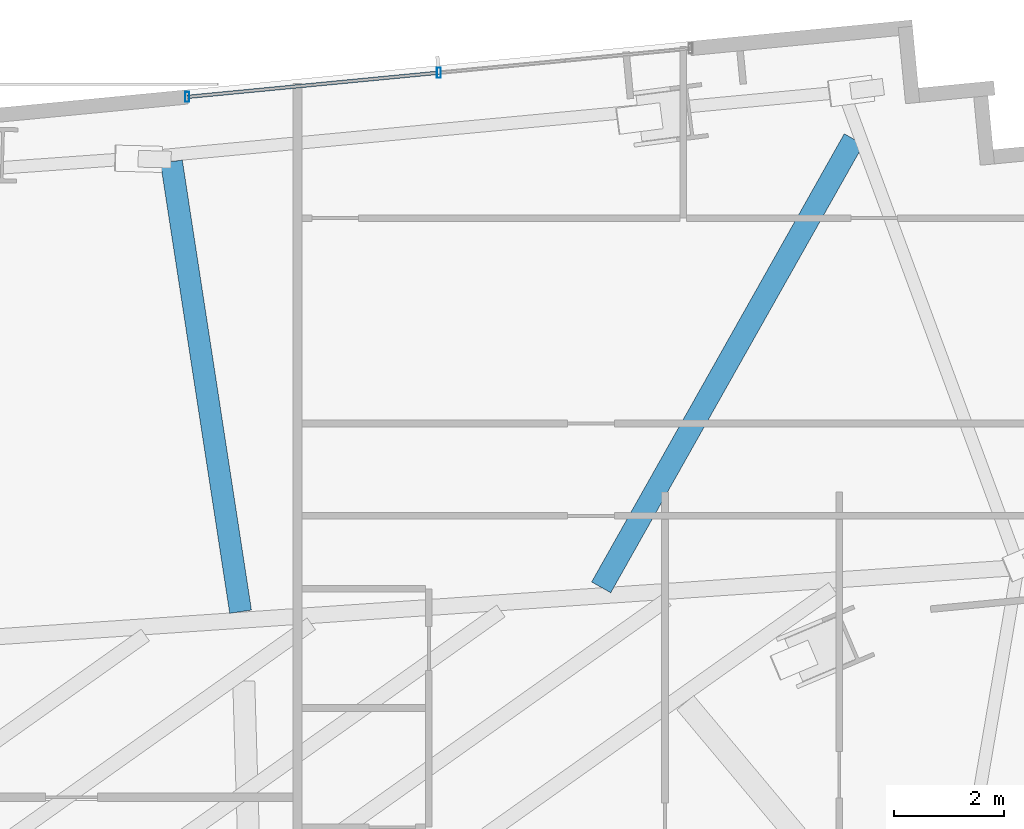
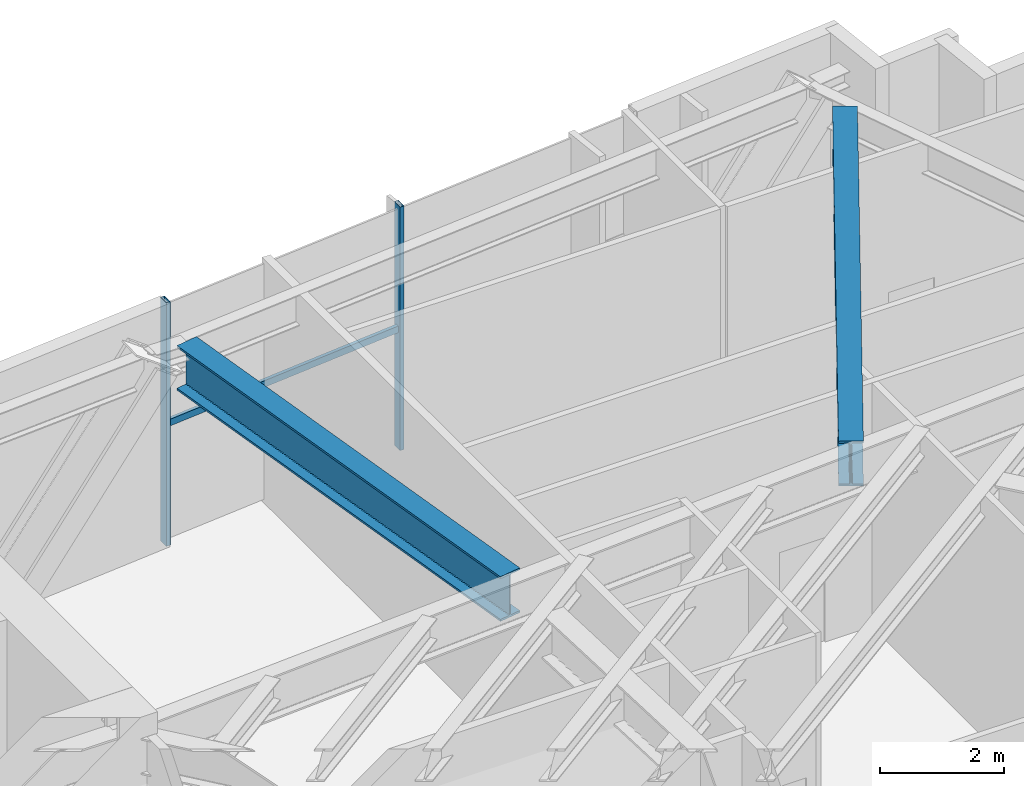
# One storey, part 16 of 28: 3 members, 2 beams, 1 element without a shape of its own.
"""IFC4 building model written with IfcOpenShell, lengths in metres."""

from ifc_helpers import new_model, si_unit, direction, frame, origin, origin_2d, place, context, subcontext, project, spatial, hollow_rectangle, i_section, extrude, source, transform, mapped, material, material_profile, profile_set, type_object, type_shapes, element, aggregate, save


model = new_model("IFC4")

# Units and contexts
model_context = context("Model", 3, precision=1e-05, world=origin(), true_north=direction((0.0, 1.0)))
body_context = subcontext(model_context, "Body", "Model", "MODEL_VIEW")
ifc_project = project(units=[si_unit("LENGTHUNIT", "METRE"), si_unit("AREAUNIT", "SQUARE_METRE"), si_unit("VOLUMEUNIT", "CUBIC_METRE"), si_unit("PLANEANGLEUNIT", "RADIAN"), si_unit("MASSUNIT", "GRAM", prefix="KILO")], contexts=[model_context])

# Site, building, storey
site_placement = place(None, origin())
site = spatial("IfcSite", under=ifc_project, at=site_placement, CompositionType="ELEMENT")
building_placement = place(site_placement, origin())
building = spatial("IfcBuilding", under=site, at=building_placement, Name="Astriad Promenade Condominiums", CompositionType="ELEMENT")
storey_placement = place(building_placement, frame((0.0, 0.0, 72.60009765625)))
storey = spatial("IfcBuildingStorey", under=building, at=storey_placement, Name="L20", CompositionType="ELEMENT", Elevation=72.60009765625)

# Beams
ifc_material_1 = material(Name="Steel ASTM A992 Grade 50", Category="steel")
ifc_material_profile_1 = material_profile(ifc_material_1, i_section(OverallWidth=0.4013671875, OverallDepth=0.877197265625, WebThickness=0.022216796875, FlangeThickness=0.039794921875, FilletRadius=0.02294921875, at=origin_2d()), Name="W33X263")
ifc_profile_set_1 = profile_set([ifc_material_profile_1], Name="Steel ASTM A992 Grade 50")
beam_type = type_object("IfcBeamType", Name="STEEL TRANSFER CARRIER GIRDER W33X263", PredefinedType="BEAM", material=ifc_profile_set_1)
shared_shape_1 = source(origin(), body_context, "Body", "SweptSolid", [
    extrude(i_section(OverallWidth=0.4013671875, OverallDepth=0.877197265625, WebThickness=0.022216796875, FlangeThickness=0.039794921875, FilletRadius=0.02294921875, at=origin_2d()), origin(), (0.0, 0.0, 1.0), 8.31103515625),
])
beam_1_placement = place(storey_placement, frame((53.16259765625, 18.069091796875, 4.34130859375), z_axis=(-0.151871758829, 0.988400206834, 0.0), x_axis=(-0.988400206834, -0.151871758829, 0.0)))
element("IfcBeam", 1, at=beam_1_placement, inside=storey, type_object=beam_type, Name="Transfer Splice Carrier TRM-SP-PC09-L20", PredefinedType="BEAM", context=body_context, shape_type="MappedRepresentation", body=[
    mapped(shared_shape_1, transform((0.0, 0.0, 0.0), scale=1.0)),
])
shared_shape_2 = source(origin(), body_context, "Body", "SweptSolid", [
    extrude(i_section(OverallWidth=0.4013671875, OverallDepth=0.877197265625, WebThickness=0.022216796875, FlangeThickness=0.039794921875, FilletRadius=0.02294921875, at=origin_2d()), origin(), (0.0, 0.0, 1.0), 9.392333984375),
])
type_shapes(beam_type, [shared_shape_1, shared_shape_2])
beam_2_placement = place(storey_placement, frame((59.745361328125, 18.513427734375, 4.34130859375), z_axis=(0.491100217631, 0.871103080148, 0.0), x_axis=(-0.871103080148, 0.491100217631, 0.0)))
element("IfcBeam", 2, at=beam_2_placement, inside=storey, type_object=beam_type, Name="Transfer Splice Carrier TRM-SP-PC10-L20", PredefinedType="BEAM", context=body_context, shape_type="MappedRepresentation", body=[
    mapped(shared_shape_2, transform((0.0, 0.0, 0.0), scale=1.0)),
])

# Curtain wall, members
ifc_material_2 = material(Name="Anodised aluminium Black Dark Glass Unitised", Category="aluminium")
curtain_wall_type = type_object("IfcCurtainWallType", Name="CW-B2-DARK", PredefinedType="USERDEFINED", material=ifc_material_2)
curtain_wall_placement = place(storey_placement, origin())
curtain_wall = element("IfcCurtainWall", 3, at=curtain_wall_placement, inside=storey, type_object=curtain_wall_type, Name="CW-L20-N-4", ObjectType="UNITISED_CURTAIN_WALL", PredefinedType="USERDEFINED")
ifc_material_3 = material(Name="Anodised aluminium 6063-T6 Black", Category="aluminium")
ifc_material_profile_2 = material_profile(ifc_material_3, hollow_rectangle(XDim=0.074951171875, YDim=0.18505859375, WallThickness=0.00439453125, at=origin_2d()), Name="ALU-MUL-75X185")
ifc_profile_set_2 = profile_set([ifc_material_profile_2], Name="Anodised aluminium 6063-T6 Black")
member_type_1 = type_object("IfcMemberType", Name="MUL-ALU-MUL-75X185", PredefinedType="MULLION", material=ifc_profile_set_2)
shared_shape_3 = source(origin(), body_context, "Body", "SweptSolid", [
    extrude(hollow_rectangle(XDim=0.074951171875, YDim=0.18505859375, WallThickness=0.00439453125, at=origin_2d()), origin(), (0.0, 0.0, 1.0), 4.77978515625),
])
type_shapes(member_type_1, [shared_shape_3])
member_1_placement = place(storey_placement, frame((52.189697265625, 27.46630859375, 0.0), z_axis=(0.0, 0.0, 1.0), x_axis=(1.0, 0.0, 0.0)))
member_1 = element("IfcMember", 4, at=member_1_placement, type_object=member_type_1, Name="CW-L20-N-4-MUL-00", PredefinedType="MULLION", context=body_context, shape_type="MappedRepresentation", body=[
    mapped(shared_shape_3, transform((0.0, 0.0, 0.0), scale=1.0)),
])
member_2_placement = place(storey_placement, frame((56.783203125, 27.90869140625, 0.0), z_axis=(0.0, 0.0, 1.0), x_axis=(1.0, 0.0, 0.0)))
member_2 = element("IfcMember", 5, at=member_2_placement, type_object=member_type_1, Name="CW-L20-N-4-MUL-01", PredefinedType="MULLION", context=body_context, shape_type="MappedRepresentation", body=[
    mapped(shared_shape_3, transform((0.0, 0.0, 0.0), scale=1.0)),
])
ifc_material_profile_3 = material_profile(ifc_material_3, hollow_rectangle(XDim=0.06494140625, YDim=0.1298828125, WallThickness=0.00390625, at=origin_2d()), Name="ALU-TRN-65X130")
ifc_profile_set_3 = profile_set([ifc_material_profile_3], Name="Anodised aluminium 6063-T6 Black")
member_type_2 = type_object("IfcMemberType", Name="TRN-ALU-TRN-65X130", PredefinedType="USERDEFINED", material=ifc_profile_set_3)
shared_shape_4 = source(origin(), body_context, "Body", "SweptSolid", [
    extrude(hollow_rectangle(XDim=0.06494140625, YDim=0.1298828125, WallThickness=0.00390625, at=origin_2d()), origin(), (0.0, 0.0, 1.0), 4.61474609375),
])
type_shapes(member_type_2, [shared_shape_4])
member_3_placement = place(storey_placement, frame((52.189697265625, 27.46630859375, 2.349853515625), z_axis=(0.995394575221, 0.095862608041, 0.0), x_axis=(-0.095862608041, 0.995394575221, 0.0)))
member_3 = element("IfcMember", 6, at=member_3_placement, type_object=member_type_2, Name="CW-L20-N-4-TRN-00-0", ObjectType="TRANSOM", PredefinedType="USERDEFINED", context=body_context, shape_type="MappedRepresentation", body=[
    mapped(shared_shape_4, transform((0.0, 0.0, 0.0), scale=1.0)),
])
aggregate(curtain_wall, [member_1, member_2, member_3])

save(model, "model.ifc")
